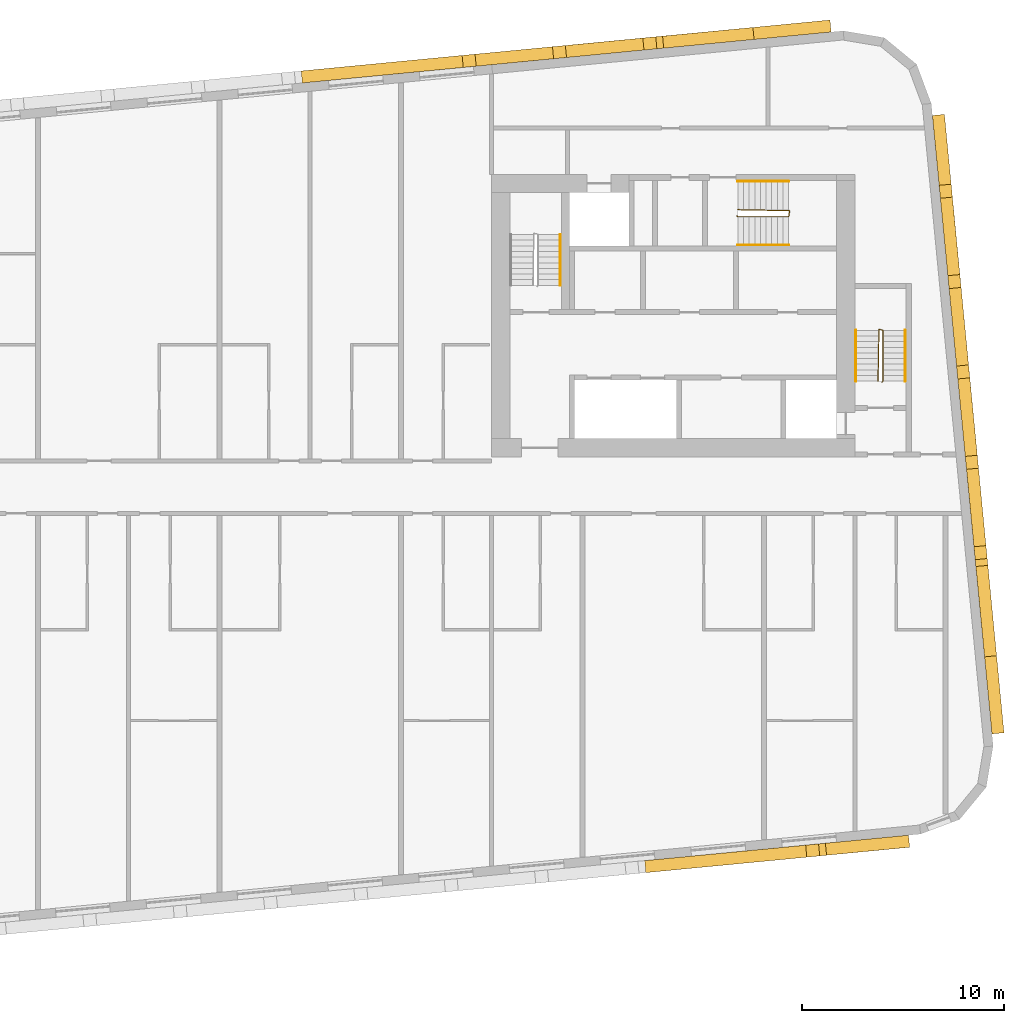
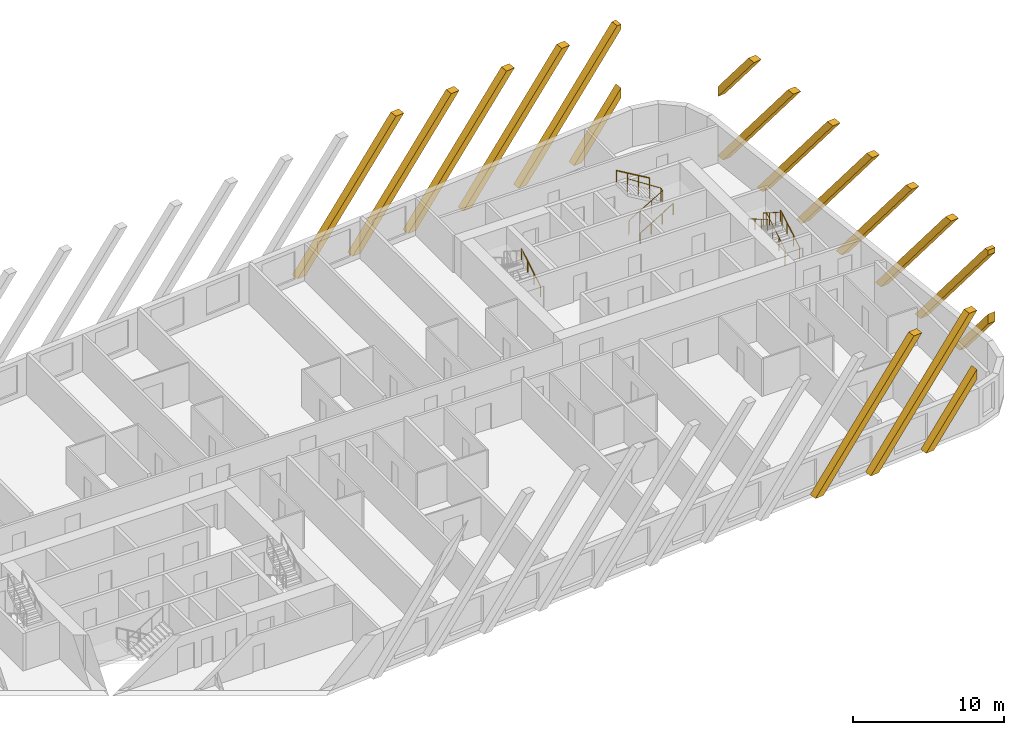
# One storey, part 13 of 13: 17 coverings, 7 railings.
"""IFC4 building model written with IfcOpenShell, lengths in metres."""

from ifc_helpers import new_model, si_unit, direction, frame, origin, origin_2d, place, context, subcontext, project, spatial, polyline, rectangle, circle, outline, extrude, material, material_profile, profile_set, type_object, element, save


model = new_model("IFC4")

# Units and contexts
model_context = context("Model", 3, precision=1e-05, world=origin(), true_north=direction((0.0, 1.0)))
body_context = subcontext(model_context, "Body", "Model", "MODEL_VIEW")
ifc_project = project(units=[si_unit("LENGTHUNIT", "METRE"), si_unit("AREAUNIT", "SQUARE_METRE"), si_unit("VOLUMEUNIT", "CUBIC_METRE"), si_unit("PLANEANGLEUNIT", "RADIAN"), si_unit("MASSUNIT", "GRAM", prefix="KILO")], contexts=[model_context])

# Site, building, storey
site_placement = place(None, origin())
site = spatial("IfcSite", under=ifc_project, at=site_placement, CompositionType="ELEMENT")
building_placement = place(site_placement, origin())
building = spatial("IfcBuilding", under=site, at=building_placement, Name="Kajstack Hotel Tower", CompositionType="ELEMENT")
storey_placement = place(building_placement, frame((0.0, 0.0, 298.199951171875)))
storey = spatial("IfcBuildingStorey", under=building, at=storey_placement, Name="L75", CompositionType="ELEMENT", Elevation=298.199951171875)

# Coverings
ifc_material_1 = material(Name="Terracotta", Category="masonry")
ifc_material_profile = material_profile(ifc_material_1, rectangle(XDim=0.60009765625, YDim=0.5, at=origin_2d()), Name="Terracotta-clad concrete baguette 500 x 600")
ifc_profile_set = profile_set([ifc_material_profile], Name="Terracotta")
covering_type = type_object("IfcCoveringType", Name="BAGUETTE 500x600", PredefinedType="CLADDING", material=ifc_profile_set)
covering_1_placement = place(storey_placement, frame((21.082763671875, -18.51806640625, 0.0), z_axis=(0.095634862357, -0.995416482233, 0.0), x_axis=(0.995416482233, 0.095634862357, 0.0)))
element("IfcCovering", 1, at=covering_1_placement, inside=storey, type_object=covering_type, Name="Baguette L75-04-055", PredefinedType="CLADDING", context=body_context, shape_type="SweptSolid", body=[
    extrude(outline(polyline([(8.016845703125, 9.89990234375), (0.0, 0.0), (0.643310546875, 0.0), (8.66015625, 9.89990234375), (8.016845703125, 9.89990234375)])), origin(), (0.0, 0.0, 1.0), 0.599853515625),
])
covering_2_placement = place(storey_placement, frame((25.56201171875, -18.086669921875, 0.0), z_axis=(0.095634862357, -0.995416482233, 0.0), x_axis=(0.995416482233, 0.095634862357, 0.0)))
element("IfcCovering", 2, at=covering_2_placement, inside=storey, type_object=covering_type, Name="Baguette L75-04-059", PredefinedType="CLADDING", context=body_context, shape_type="SweptSolid", body=[
    extrude(outline(polyline([(0.643310546875, 0.0), (8.638671875, 9.873291015625), (8.638671875, 9.89990234375), (8.016845703125, 9.89990234375), (0.0, 0.0), (0.643310546875, 0.0)])), origin(), (0.0, 0.0, 1.0), 0.599853515625),
])
covering_3_placement = place(storey_placement, frame((30.041259765625, -17.6552734375, 0.0), z_axis=(0.095999188106, -0.995381412265, 0.0), x_axis=(0.995381412265, 0.095999188106, 0.0)))
element("IfcCovering", 3, at=covering_3_placement, inside=storey, type_object=covering_type, Name="Baguette L75-04-063", PredefinedType="CLADDING", context=body_context, shape_type="SweptSolid", body=[
    extrude(outline(polyline([(0.643310546875, 0.0), (4.138671875, 4.31640625), (4.138671875, 5.11083984375), (0.0, 0.0), (0.643310546875, 0.0)])), origin(), (0.0, 0.0, 1.0), 0.60009765625),
])
covering_4_placement = place(storey_placement, frame((38.298828125, -12.239013671875, 0.0), z_axis=(0.995416482233, 0.095634862357, 0.0), x_axis=(-0.095634862357, 0.995416482233, 0.0)))
element("IfcCovering", 4, at=covering_4_placement, inside=storey, type_object=covering_type, Name="Baguette L75-08-003", PredefinedType="CLADDING", context=body_context, shape_type="SweptSolid", body=[
    extrude(outline(polyline([(3.838623046875, 0.0), (0.0, 4.740234375), (0.0, 3.94580078125), (3.195068359375, 0.0), (3.838623046875, 0.0)])), origin(), (0.0, 0.0, 1.0), 0.599853515625),
])
covering_5_placement = place(storey_placement, frame((38.298828125, -12.239013671875, 0.0), z_axis=(0.995416482233, 0.095634862357, 0.0), x_axis=(-0.095634862357, 0.995416482233, 0.0)))
element("IfcCovering", 5, at=covering_5_placement, inside=storey, type_object=covering_type, Name="Baguette L75-08-007", PredefinedType="CLADDING", context=body_context, shape_type="SweptSolid", body=[
    extrude(outline(polyline([(0.32177734375, 9.89990234375), (0.0, 9.89990234375), (0.0, 9.502685546875), (7.695068359375, 0.0), (8.338623046875, 0.0), (0.32177734375, 9.89990234375)])), origin(), (0.0, 0.0, 1.0), 0.599853515625),
])
covering_6_placement = place(storey_placement, frame((37.898193359375, -8.080078125, 0.0), z_axis=(0.995381412265, 0.095999188106, 0.0), x_axis=(-0.095999188106, 0.995381412265, 0.0)))
element("IfcCovering", 6, at=covering_6_placement, inside=storey, type_object=covering_type, Name="Baguette L75-08-011", PredefinedType="CLADDING", context=body_context, shape_type="SweptSolid", body=[
    extrude(outline(polyline([(0.0, 9.89990234375), (8.016845703125, 0.0), (8.66015625, 0.0), (0.643310546875, 9.89990234375), (0.0, 9.89990234375)])), origin(), (0.0, 0.0, 1.0), 0.60009765625),
])
for number, where, z_axis, x_axis, name in (
    (7, (37.467041015625, -3.6005859375, 0.0), (0.995416482233, 0.095634862357, 0.0), (-0.095634862357, 0.995416482233, 0.0), "Baguette L75-08-015"),
    (8, (37.03564453125, 0.878662109375, 0.0), (0.995416482233, 0.095634862357, 0.0), (-0.095634862357, 0.995416482233, 0.0), "Baguette L75-08-019"),
    (9, (36.6044921875, 5.35791015625, 0.0), (0.995416482233, 0.095634862357, 0.0), (-0.095634862357, 0.995416482233, 0.0), "Baguette L75-08-023"),
):
    element("IfcCovering", number, at=place(storey_placement, frame(where, z_axis=z_axis, x_axis=x_axis)), inside=storey, type_object=covering_type, Name=name, PredefinedType="CLADDING", context=body_context, shape_type="SweptSolid", body=[
        extrude(outline(polyline([(0.0, 9.89990234375), (8.016845703125, 0.0), (8.66015625, 0.0), (0.643310546875, 9.89990234375), (0.0, 9.89990234375)])), origin(), (0.0, 0.0, 1.0), 0.599853515625),
    ])
covering_7_placement = place(storey_placement, frame((36.173095703125, 9.837158203125, 0.0), z_axis=(0.995377661201, 0.096038073607, 0.0), x_axis=(-0.096038073607, 0.995377661201, 0.0)))
element("IfcCovering", 10, at=covering_7_placement, inside=storey, type_object=covering_type, Name="Baguette L75-08-027", PredefinedType="CLADDING", context=body_context, shape_type="SweptSolid", body=[
    extrude(outline(polyline([(8.016845703125, 0.0), (8.62158203125, 0.0), (8.62158203125, 0.047607421875), (0.643310546875, 9.89990234375), (0.0, 9.89990234375), (8.016845703125, 0.0)])), origin(), (0.0, 0.0, 1.0), 0.599853515625),
])
covering_8_placement = place(storey_placement, frame((35.74169921875, 14.31640625, 0.0), z_axis=(0.995381412265, 0.095999188106, 0.0), x_axis=(-0.095999188106, 0.995381412265, 0.0)))
element("IfcCovering", 11, at=covering_8_placement, inside=storey, type_object=covering_type, Name="Baguette L75-08-031", PredefinedType="CLADDING", context=body_context, shape_type="SweptSolid", body=[
    extrude(outline(polyline([(0.0, 9.89990234375), (4.12158203125, 4.81005859375), (4.12158203125, 5.604736328125), (0.643310546875, 9.89990234375), (0.0, 9.89990234375)])), origin(), (0.0, 0.0, 1.0), 0.60009765625),
])
covering_9_placement = place(storey_placement, frame((30.3271484375, 22.55712890625, 0.0), z_axis=(-0.096038073607, 0.995377661201, 0.0), x_axis=(-0.995377661201, -0.096038073607, 0.0)))
element("IfcCovering", 12, at=covering_9_placement, inside=storey, type_object=covering_type, Name="Baguette L75-12-003", PredefinedType="CLADDING", context=body_context, shape_type="SweptSolid", body=[
    extrude(outline(polyline([(3.838623046875, 0.0), (0.0, 4.740234375), (0.0, 3.94580078125), (3.195068359375, 0.0), (3.838623046875, 0.0)])), origin(), (0.0, 0.0, 1.0), 0.599853515625),
])
covering_10_placement = place(storey_placement, frame((30.3271484375, 22.55712890625, 0.0), z_axis=(-0.096038073607, 0.995377661201, 0.0), x_axis=(-0.995377661201, -0.096038073607, 0.0)))
element("IfcCovering", 13, at=covering_10_placement, inside=storey, type_object=covering_type, Name="Baguette L75-12-007", PredefinedType="CLADDING", context=body_context, shape_type="SweptSolid", body=[
    extrude(outline(polyline([(0.32177734375, 9.89990234375), (0.0, 9.89990234375), (0.0, 9.502685546875), (7.695068359375, 0.0), (8.338623046875, 0.0), (0.32177734375, 9.89990234375)])), origin(), (0.0, 0.0, 1.0), 0.599853515625),
])
for number, where, z_axis, x_axis, name in (
    (14, (26.16796875, 22.15673828125, 0.0), (-0.095634862357, 0.995416482233, 0.0), (-0.995416482233, -0.095634862357, 0.0), "Baguette L75-12-011"),
    (15, (21.688720703125, 21.725341796875, 0.0), (-0.096038073607, 0.995377661201, 0.0), (-0.995377661201, -0.096038073607, 0.0), "Baguette L75-12-015"),
):
    element("IfcCovering", number, at=place(storey_placement, frame(where, z_axis=z_axis, x_axis=x_axis)), inside=storey, type_object=covering_type, Name=name, PredefinedType="CLADDING", context=body_context, shape_type="SweptSolid", body=[
        extrude(outline(polyline([(0.0, 9.89990234375), (8.016845703125, 0.0), (8.66015625, 0.0), (0.643310546875, 9.89990234375), (0.0, 9.89990234375)])), origin(), (0.0, 0.0, 1.0), 0.599853515625),
    ])
covering_11_placement = place(storey_placement, frame((17.20947265625, 21.2939453125, 0.0), z_axis=(-0.095999188106, 0.995381412265, 0.0), x_axis=(-0.995381412265, -0.095999188106, 0.0)))
element("IfcCovering", 16, at=covering_11_placement, inside=storey, type_object=covering_type, Name="Baguette L75-12-019", PredefinedType="CLADDING", context=body_context, shape_type="SweptSolid", body=[
    extrude(outline(polyline([(0.0, 9.89990234375), (8.016845703125, 0.0), (8.66015625, 0.0), (0.643310546875, 9.89990234375), (0.0, 9.89990234375)])), origin(), (0.0, 0.0, 1.0), 0.60009765625),
])
covering_12_placement = place(storey_placement, frame((12.730224609375, 20.86279296875, 0.0), z_axis=(-0.096038073607, 0.995377661201, 0.0), x_axis=(-0.995377661201, -0.096038073607, 0.0)))
element("IfcCovering", 17, at=covering_12_placement, inside=storey, type_object=covering_type, Name="Baguette L75-12-023", PredefinedType="CLADDING", context=body_context, shape_type="SweptSolid", body=[
    extrude(outline(polyline([(0.0, 9.89990234375), (8.016845703125, 0.0), (8.66015625, 0.0), (0.643310546875, 9.89990234375), (0.0, 9.89990234375)])), origin(), (0.0, 0.0, 1.0), 0.599853515625),
])

# Railings
ifc_material_2 = material(Name="Steel S355J2", Category="steel")
railing_type_1 = type_object("IfcRailingType", Name="Stair guard 1100", PredefinedType="GUARDRAIL", material=ifc_material_2)
railing_1_placement = place(storey_placement, frame((32.85009765625, 5.199951171875, 0.0)))
element("IfcRailing", 18, at=railing_1_placement, inside=storey, type_object=railing_type_1, Name="L75 E1 stair guard 1", PredefinedType="GUARDRAIL", context=body_context, shape_type="SweptSolid", body=[
    extrude(circle(Radius=0.02392578125, at=origin_2d()), frame((0.0, 0.0, 1.076171875), z_axis=(0.277450376394, 0.278810427259, 0.919394384522), x_axis=(-0.708833529934, 0.705375805398, 0.0)), (0.0, 0.0, 1.0), 0.179443359375),
    extrude(circle(Radius=0.02392578125, at=origin_2d()), frame((0.0498046875, 0.050048828125, 1.2412109375), z_axis=(0.0, 0.86152411907, 0.507716645641), x_axis=(-1.0, 0.0, 0.0)), (0.0, 0.0, 1.0), 2.925048828125),
    extrude(circle(Radius=0.02392578125, at=origin_2d()), frame((0.0498046875, 2.570068359375, 2.72607421875), z_axis=(-0.970072785993, 0.242814311512, 0.0), x_axis=(-0.242814311512, -0.970072785993, 0.0)), (0.0, 0.0, 1.0), 0.2060546875),
    extrude(circle(Radius=0.02392578125, at=origin_2d()), frame((-0.150146484375, 2.6201171875, 2.72607421875), z_axis=(-0.016385308676, -0.841405582595, 0.540155687962), x_axis=(0.999810440751, -0.019470042781, 0.0)), (0.0, 0.0, 1.0), 3.054443359375),
    extrude(circle(Radius=0.02099609375, at=origin_2d()), origin(), (0.0, 0.0, 1.0), 1.052001953125),
    extrude(circle(Radius=0.02099609375, at=origin_2d()), frame((0.0498046875, 0.050048828125, 0.1650390625)), (0.0, 0.0, 1.0), 1.052001953125),
    extrude(circle(Radius=0.02099609375, at=origin_2d()), frame((0.0498046875, 0.89013671875, 0.66015625)), (0.0, 0.0, 1.0), 1.052001953125),
    extrude(circle(Radius=0.02099609375, at=origin_2d()), frame((0.0498046875, 1.72998046875, 1.155029296875)), (0.0, 0.0, 1.0), 1.052001953125),
    extrude(circle(Radius=0.02099609375, at=origin_2d()), frame((0.0498046875, 2.570068359375, 1.650146484375)), (0.0, 0.0, 1.0), 1.052001953125),
    extrude(circle(Radius=0.02099609375, at=origin_2d()), frame((-0.150146484375, 2.6201171875, 1.650146484375)), (0.0, 0.0, 1.0), 1.052001953125),
    extrude(circle(Radius=0.02099609375, at=origin_2d()), frame((-0.166748046875, 1.763427734375, 2.2001953125)), (0.0, 0.0, 1.0), 1.052001953125),
    extrude(circle(Radius=0.02099609375, at=origin_2d()), frame((-0.18359375, 0.90673828125, 2.75)), (0.0, 0.0, 1.0), 1.052001953125),
    extrude(circle(Radius=0.02099609375, at=origin_2d()), frame((-0.2001953125, 0.050048828125, 3.300048828125)), (0.0, 0.0, 1.0), 1.052001953125),
])
railing_2_placement = place(storey_placement, frame((25.64990234375, 13.449951171875, 0.0)))
element("IfcRailing", 19, at=railing_2_placement, inside=storey, type_object=railing_type_1, Name="L75 E3 stair guard 1", PredefinedType="GUARDRAIL", context=body_context, shape_type="SweptSolid", body=[
    extrude(circle(Radius=0.02392578125, at=origin_2d()), frame((0.0, 0.0, 1.076171875), z_axis=(0.278705021027, -0.278705021027, 0.919046801044), x_axis=(0.707106781187, 0.707106781187, 0.0)), (0.0, 0.0, 1.0), 0.1796875),
    extrude(circle(Radius=0.02392578125, at=origin_2d()), frame((0.050048828125, -0.050048828125, 1.2412109375), z_axis=(0.86152411907, 0.0, 0.507716645641), x_axis=(0.0, 1.0, 0.0)), (0.0, 0.0, 1.0), 2.925048828125),
    extrude(circle(Radius=0.02392578125, at=origin_2d()), frame((2.570068359375, -0.050048828125, 2.72607421875), z_axis=(0.164529134168, 0.986372223864, 0.0), x_axis=(-0.986372223864, 0.164529134168, 0.0)), (0.0, 0.0, 1.0), 0.30419921875),
    extrude(circle(Radius=0.02392578125, at=origin_2d()), frame((2.6201171875, 0.25, 2.72607421875), z_axis=(-0.841405582595, 0.016385308676, 0.540155687962), x_axis=(-0.019470042781, -0.999810440751, 0.0)), (0.0, 0.0, 1.0), 3.054443359375),
    extrude(circle(Radius=0.02099609375, at=origin_2d()), origin(), (0.0, 0.0, 1.0), 1.052001953125),
    extrude(circle(Radius=0.02099609375, at=origin_2d()), frame((0.050048828125, -0.050048828125, 0.1650390625)), (0.0, 0.0, 1.0), 1.052001953125),
    extrude(circle(Radius=0.02099609375, at=origin_2d()), frame((0.89013671875, -0.050048828125, 0.66015625)), (0.0, 0.0, 1.0), 1.052001953125),
    extrude(circle(Radius=0.02099609375, at=origin_2d()), frame((1.72998046875, -0.050048828125, 1.155029296875)), (0.0, 0.0, 1.0), 1.052001953125),
    extrude(circle(Radius=0.02099609375, at=origin_2d()), frame((2.570068359375, -0.050048828125, 1.650146484375)), (0.0, 0.0, 1.0), 1.052001953125),
    extrude(circle(Radius=0.02099609375, at=origin_2d()), frame((2.6201171875, 0.25, 1.650146484375)), (0.0, 0.0, 1.0), 1.052001953125),
    extrude(circle(Radius=0.02099609375, at=origin_2d()), frame((1.763427734375, 0.2666015625, 2.2001953125)), (0.0, 0.0, 1.0), 1.052001953125),
    extrude(circle(Radius=0.02099609375, at=origin_2d()), frame((0.90673828125, 0.283447265625, 2.75)), (0.0, 0.0, 1.0), 1.052001953125),
    extrude(circle(Radius=0.02099609375, at=origin_2d()), frame((0.050048828125, 0.300048828125, 3.300048828125)), (0.0, 0.0, 1.0), 1.052001953125),
])
railing_type_2 = type_object("IfcRailingType", Name="Stair handrail 900", PredefinedType="HANDRAIL", material=ifc_material_2)
railing_3_placement = place(storey_placement, frame((34.0, 5.25, 0.1650390625)))
element("IfcRailing", 20, at=railing_3_placement, inside=storey, type_object=railing_type_2, Name="L75 E1 stair handrail 1", PredefinedType="HANDRAIL", context=body_context, shape_type="SweptSolid", body=[
    extrude(circle(Radius=0.02392578125, at=origin_2d()), frame((0.0, 0.0, 0.8759765625), z_axis=(0.0, 0.86152411907, 0.507716645641), x_axis=(-1.0, 0.0, 0.0)), (0.0, 0.0, 1.0), 2.925048828125),
    extrude(circle(Radius=0.02099609375, at=origin_2d()), origin(), (0.0, 0.0, 1.0), 0.851806640625),
    extrude(circle(Radius=0.02099609375, at=origin_2d()), frame((0.0, 0.840087890625, 0.4951171875)), (0.0, 0.0, 1.0), 0.851806640625),
    extrude(circle(Radius=0.02099609375, at=origin_2d()), frame((0.0, 1.679931640625, 0.989990234375)), (0.0, 0.0, 1.0), 0.851806640625),
    extrude(circle(Radius=0.02099609375, at=origin_2d()), frame((0.0, 2.52001953125, 1.485107421875)), (0.0, 0.0, 1.0), 0.851806640625),
])
railing_4_placement = place(storey_placement, frame((31.550048828125, 7.77001953125, 1.81494140625)))
element("IfcRailing", 21, at=railing_4_placement, inside=storey, type_object=railing_type_2, Name="L75 E1 stair handrail 2", PredefinedType="HANDRAIL", context=body_context, shape_type="SweptSolid", body=[
    extrude(circle(Radius=0.02392578125, at=origin_2d()), frame((0.0, 0.0, 0.8759765625), z_axis=(0.0, -0.86152411907, 0.507716645641), x_axis=(1.0, 0.0, 0.0)), (0.0, 0.0, 1.0), 2.925048828125),
    extrude(circle(Radius=0.02099609375, at=origin_2d()), origin(), (0.0, 0.0, 1.0), 0.851806640625),
    extrude(circle(Radius=0.02099609375, at=origin_2d()), frame((0.0, -0.840087890625, 0.4951171875)), (0.0, 0.0, 1.0), 0.851806640625),
    extrude(circle(Radius=0.02099609375, at=origin_2d()), frame((0.0, -1.679931640625, 0.989990234375)), (0.0, 0.0, 1.0), 0.851806640625),
    extrude(circle(Radius=0.02099609375, at=origin_2d()), frame((0.0, -2.52001953125, 1.485107421875)), (0.0, 0.0, 1.0), 0.851806640625),
])
railing_5_placement = place(storey_placement, frame((16.89990234375, 10.0, 0.1650390625)))
element("IfcRailing", 22, at=railing_5_placement, inside=storey, type_object=railing_type_2, Name="L75 E2 stair handrail 1", PredefinedType="HANDRAIL", context=body_context, shape_type="SweptSolid", body=[
    extrude(circle(Radius=0.02392578125, at=origin_2d()), frame((0.0, 0.0, 0.8759765625), z_axis=(0.0, 0.86152411907, 0.507716645641), x_axis=(-1.0, 0.0, 0.0)), (0.0, 0.0, 1.0), 2.925048828125),
    extrude(circle(Radius=0.02099609375, at=origin_2d()), origin(), (0.0, 0.0, 1.0), 0.851806640625),
    extrude(circle(Radius=0.02099609375, at=origin_2d()), frame((0.0, 0.840087890625, 0.4951171875)), (0.0, 0.0, 1.0), 0.851806640625),
    extrude(circle(Radius=0.02099609375, at=origin_2d()), frame((0.0, 1.679931640625, 0.989990234375)), (0.0, 0.0, 1.0), 0.851806640625),
    extrude(circle(Radius=0.02099609375, at=origin_2d()), frame((0.0, 2.52001953125, 1.485107421875)), (0.0, 0.0, 1.0), 0.851806640625),
])
railing_6_placement = place(storey_placement, frame((25.699951171875, 12.0, 0.1650390625)))
element("IfcRailing", 23, at=railing_6_placement, inside=storey, type_object=railing_type_2, Name="L75 E3 stair handrail 1", PredefinedType="HANDRAIL", context=body_context, shape_type="SweptSolid", body=[
    extrude(circle(Radius=0.02392578125, at=origin_2d()), frame((0.0, 0.0, 0.8759765625), z_axis=(0.86152411907, 0.0, 0.507716645641), x_axis=(0.0, 1.0, 0.0)), (0.0, 0.0, 1.0), 2.925048828125),
    extrude(circle(Radius=0.02099609375, at=origin_2d()), origin(), (0.0, 0.0, 1.0), 0.851806640625),
    extrude(circle(Radius=0.02099609375, at=origin_2d()), frame((0.840087890625, 0.0, 0.4951171875)), (0.0, 0.0, 1.0), 0.851806640625),
    extrude(circle(Radius=0.02099609375, at=origin_2d()), frame((1.679931640625, 0.0, 0.989990234375)), (0.0, 0.0, 1.0), 0.851806640625),
    extrude(circle(Radius=0.02099609375, at=origin_2d()), frame((2.52001953125, 0.0, 1.485107421875)), (0.0, 0.0, 1.0), 0.851806640625),
])
railing_7_placement = place(storey_placement, frame((28.219970703125, 15.14990234375, 1.81494140625)))
element("IfcRailing", 24, at=railing_7_placement, inside=storey, type_object=railing_type_2, Name="L75 E3 stair handrail 2", PredefinedType="HANDRAIL", context=body_context, shape_type="SweptSolid", body=[
    extrude(circle(Radius=0.02392578125, at=origin_2d()), frame((0.0, 0.0, 0.8759765625), z_axis=(-0.86152411907, 0.0, 0.507716645641), x_axis=(0.0, -1.0, 0.0)), (0.0, 0.0, 1.0), 2.925048828125),
    extrude(circle(Radius=0.02099609375, at=origin_2d()), origin(), (0.0, 0.0, 1.0), 0.851806640625),
    extrude(circle(Radius=0.02099609375, at=origin_2d()), frame((-0.840087890625, 0.0, 0.4951171875)), (0.0, 0.0, 1.0), 0.851806640625),
    extrude(circle(Radius=0.02099609375, at=origin_2d()), frame((-1.679931640625, 0.0, 0.989990234375)), (0.0, 0.0, 1.0), 0.851806640625),
    extrude(circle(Radius=0.02099609375, at=origin_2d()), frame((-2.52001953125, 0.0, 1.485107421875)), (0.0, 0.0, 1.0), 0.851806640625),
])

save(model, "model.ifc")
